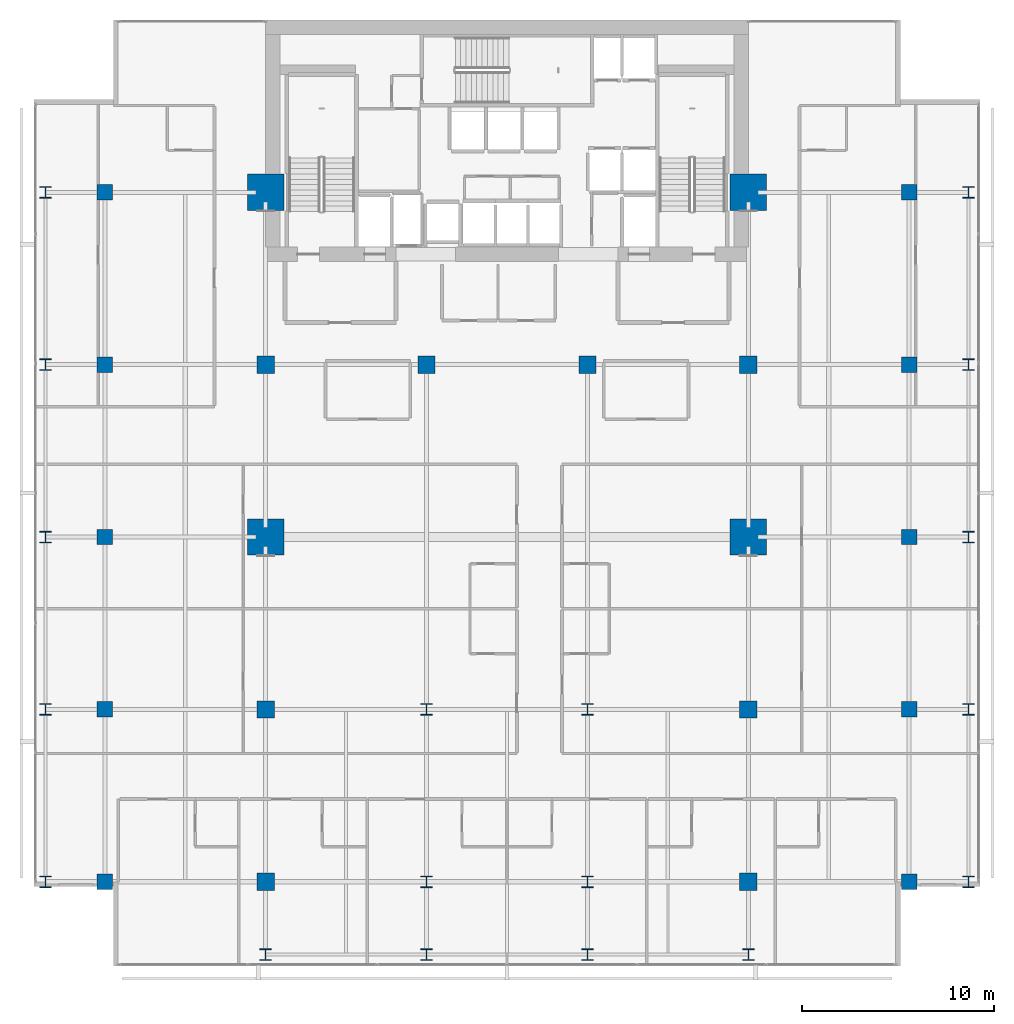
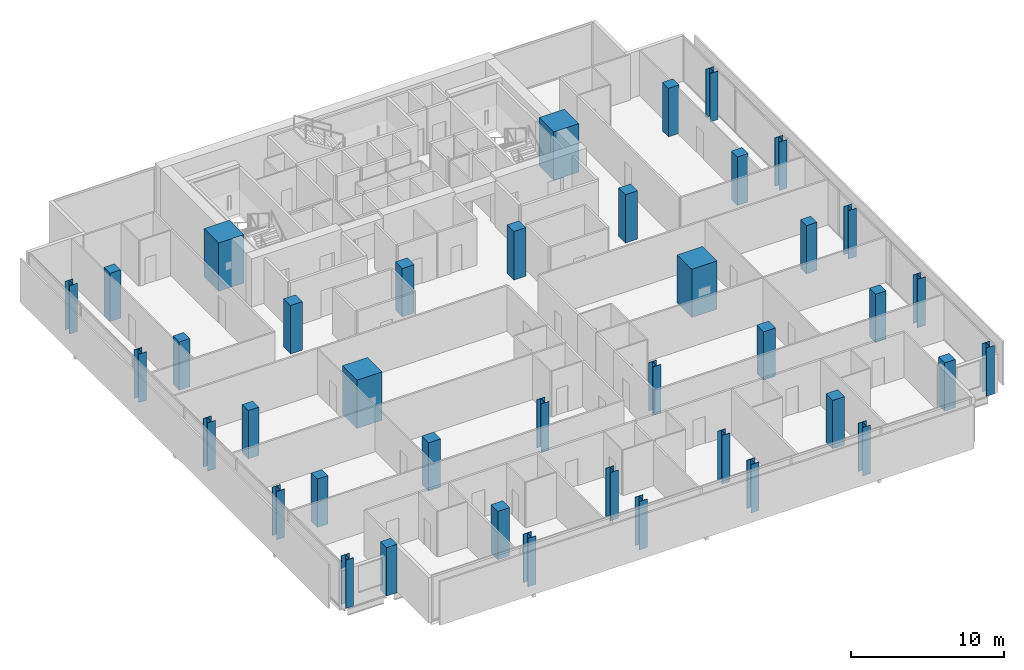
# One storey, part 1 of 33: 40 columns.
"""IFC4 building model written with IfcOpenShell, lengths in metres."""

import ifcopenshell
import ifcopenshell.guid

model = None  # the IFC model being written
_history = None  # IfcOwnerHistory: only IFC2X3 demands one
_inside = {}  # id of a spatial element -> (the spatial element, [elements in it])
_under = {}  # id of a project, library or spatial element -> (it, [spatial elements below it])
_declared = {}  # id of a project -> (the project, [libraries it declares])
_typed = {}  # id of a type object -> (the type object, [elements of that type])
_made_of = {}  # id of a material, layer set ... -> (it, [elements and type objects made of it])


def new_model(schema):
    """Start an empty IFC model of exactly this schema.

    Asked for "IFC4X3", IfcOpenShell would pick the latest addendum, in which some entities
    have other attributes; the version numbers below select the first issue.
    IFC2X3 requires an IfcOwnerHistory on every rooted entity: one is made here for all.
    """
    global model, _history
    if schema == "IFC4X3":
        model = ifcopenshell.file(schema_version=(4, 3, 0, 0))
    else:
        model = ifcopenshell.file(schema=schema)
    _inside.clear()
    _under.clear()
    _declared.clear()
    _typed.clear()
    _made_of.clear()
    _history = None
    if model.schema == "IFC2X3":
        org = make("IfcOrganization", Name="unknown")
        user = make(
            "IfcPersonAndOrganization",
            ThePerson=make("IfcPerson", FamilyName="unknown"),
            TheOrganization=org,
        )
        app = make(
            "IfcApplication",
            ApplicationDeveloper=org,
            Version="unknown",
            ApplicationFullName="unknown",
            ApplicationIdentifier="unknown",
        )
        _history = make(
            "IfcOwnerHistory",
            OwningUser=user,
            OwningApplication=app,
            ChangeAction="ADDED",
            CreationDate=0,
        )
    return model


def make(cls, **values):
    """One entity of the class cls with the attributes given. An attribute that is None is left unset."""
    return model.create_entity(
        cls, **{name: value for name, value in values.items() if value is not None}
    )


def rooted(cls, **values):
    """An entity with a GlobalId (a new one), such as an element, a storey or a relation."""
    return make(cls, GlobalId=ifcopenshell.guid.new(), OwnerHistory=_history, **values)


def si_unit(unit_type, name, prefix=None):
    """IfcSIUnit, for example si_unit("LENGTHUNIT", "METRE", prefix="MILLI")."""
    return make("IfcSIUnit", UnitType=unit_type, Prefix=prefix, Name=name)


def assignment(units):
    """IfcUnitAssignment: the units of a project."""
    return None if units is None else make("IfcUnitAssignment", Units=units)


def point(xyz):
    """IfcCartesianPoint."""
    return None if xyz is None else make("IfcCartesianPoint", Coordinates=xyz)


def direction(xyz):
    """IfcDirection."""
    return None if xyz is None else make("IfcDirection", DirectionRatios=xyz)


def frame(location, z_axis=None, x_axis=None):
    """IfcAxis2Placement3D, a coordinate frame: its origin and axes. An axis left out is left unset."""
    return make(
        "IfcAxis2Placement3D",
        Location=point(location),
        Axis=direction(z_axis),
        RefDirection=direction(x_axis),
    )


def frame_2d(location, x_axis=None):
    """IfcAxis2Placement2D, a coordinate frame in the plane: its origin and x axis."""
    return make(
        "IfcAxis2Placement2D", Location=point(location), RefDirection=direction(x_axis)
    )


def origin():
    """The frame at (0, 0, 0) with its axes left unset."""
    return frame((0.0, 0.0, 0.0))


def origin_2d():
    """The frame at (0, 0) in the plane with its x axis left unset."""
    return frame_2d((0.0, 0.0))


def place(relative_to, where):
    """IfcLocalPlacement: puts the frame where relative to a parent placement (None: the world)."""
    return make(
        "IfcLocalPlacement", PlacementRelTo=relative_to, RelativePlacement=where
    )


def context(
    kind, dimensions, precision=None, world=None, true_north=None, identifier=None
):
    """IfcGeometricRepresentationContext, for example the 3D "Model" context."""
    return make(
        "IfcGeometricRepresentationContext",
        ContextIdentifier=identifier,
        ContextType=kind,
        CoordinateSpaceDimension=dimensions,
        Precision=precision,
        WorldCoordinateSystem=world,
        TrueNorth=true_north,
    )


def subcontext(parent, identifier, kind, view, scale=None):
    """IfcGeometricRepresentationSubContext, for example "Body" below "Model"."""
    return make(
        "IfcGeometricRepresentationSubContext",
        ContextIdentifier=identifier,
        ContextType=kind,
        ParentContext=parent,
        TargetScale=scale,
        TargetView=view,
    )


def project(units=None, contexts=None):
    """IfcProject with its units and contexts."""
    return rooted(
        "IfcProject",
        Name="project",
        RepresentationContexts=contexts,
        UnitsInContext=assignment(units),
    )


def spatial(cls, under=None, at=None, **own):
    """A site, building, storey or space (cls), placed at a placement, below another one or the project."""
    s = rooted(cls, ObjectPlacement=at, **own)
    if under is not None:
        _under.setdefault(under.id(), (under, []))[1].append(s)
    return s


def profile(cls, at=None, kind="AREA", **sizes):
    """A parametric profile (cls). Its sizes go by their IFC names, for example OverallWidth=200.0."""
    return make(cls, ProfileType=kind, Position=at, **sizes)


def rectangle(**sizes):
    """IfcRectangleProfileDef."""
    return profile("IfcRectangleProfileDef", **sizes)


def i_section(**sizes):
    """IfcIShapeProfileDef."""
    return profile("IfcIShapeProfileDef", **sizes)


def extrude(swept, where, along, depth):
    """IfcExtrudedAreaSolid: the profile swept, set in the frame where, extruded along a direction by depth."""
    return make(
        "IfcExtrudedAreaSolid",
        SweptArea=swept,
        Position=where,
        ExtrudedDirection=direction(along),
        Depth=depth,
    )


def shape(context_of_items, identifier, shape_type, items):
    """IfcShapeRepresentation: the items that make up one representation, for example the "Body"."""
    return make(
        "IfcShapeRepresentation",
        ContextOfItems=context_of_items,
        RepresentationIdentifier=identifier,
        RepresentationType=shape_type,
        Items=items,
    )


def material(Name=None, Category=None):
    """IfcMaterial."""
    return make("IfcMaterial", Name=Name, Category=Category)


def material_profile(
    of_material, cross_section, Name=None, Category=None, Priority=None
):
    """IfcMaterialProfile: a cross section and its material."""
    return make(
        "IfcMaterialProfile",
        Name=Name,
        Material=of_material,
        Profile=cross_section,
        Priority=Priority,
        Category=Category,
    )


def profile_set(profiles, Name=None, composite=None):
    """IfcMaterialProfileSet."""
    return make(
        "IfcMaterialProfileSet",
        Name=Name,
        MaterialProfiles=profiles,
        CompositeProfile=composite,
    )


def made_of(thing, what):
    """Note that an element or type object is made of a material, layer set ...; save() writes the relation."""
    if what is not None:
        _made_of.setdefault(what.id(), (what, []))[1].append(thing)
    return thing


def type_object(cls, material=None, **own):
    """A type object (cls), such as IfcWallType, which elements share."""
    return made_of(rooted(cls, **own), material)


def element(
    cls,
    number,
    at=None,
    inside=None,
    cuts=None,
    type_object=None,
    material=None,
    context=None,
    identifier="Body",
    shape_type=None,
    held_by="IfcProductDefinitionShape",
    body=None,
    shapes=None,
    **own,
):
    """One element of the class cls, such as IfcWall. Its Tag is "e" and its number.

    at: its placement. inside: the storey or other place that contains it. cuts: it is an
    opening in that element (IfcRelVoidsElement). A single representation is given by context,
    identifier, shape_type and body (its items); several are given by shapes. held_by: the class
    of the entity that holds the representations. save() writes the other relations.
    """
    e = rooted(cls, Tag="e%d" % number, ObjectPlacement=at, **own)
    if body is not None:
        shapes = [shape(context, identifier, shape_type, body)]
    if shapes is not None:
        e.Representation = make(held_by, Representations=shapes)
    if inside is not None:
        _inside.setdefault(inside.id(), (inside, []))[1].append(e)
    if cuts is not None:
        rooted(
            "IfcRelVoidsElement", RelatingBuildingElement=cuts, RelatedOpeningElement=e
        )
    if type_object is not None:
        _typed.setdefault(type_object.id(), (type_object, []))[1].append(e)
    return made_of(e, material)


def aggregate(whole, parts):
    """IfcRelAggregates: a whole, such as a stair, and the parts it consists of."""
    return rooted("IfcRelAggregates", RelatingObject=whole, RelatedObjects=parts)


def save(model, path):
    """Write the relations noted so far, then the file.

    IfcRelAggregates (storeys below a building ...), IfcRelContainedInSpatialStructure (elements
    in a storey), IfcRelDefinesByType, IfcRelAssociatesMaterial and IfcRelDeclares: one each for
    every whole, place, type object, material and project.
    """
    for whole, parts in _under.values():
        aggregate(whole, parts)
    for where, things in _inside.values():
        rooted(
            "IfcRelContainedInSpatialStructure",
            RelatedElements=things,
            RelatingStructure=where,
        )
    for kind, things in _typed.values():
        rooted("IfcRelDefinesByType", RelatedObjects=things, RelatingType=kind)
    for what, things in _made_of.values():
        rooted("IfcRelAssociatesMaterial", RelatedObjects=things, RelatingMaterial=what)
    for by, libraries in _declared.values():
        rooted("IfcRelDeclares", RelatingContext=by, RelatedDefinitions=libraries)
    model.write(path)


model = new_model("IFC4")

# Units and contexts
model_context = context("Model", 3, precision=1e-05, world=origin(), true_north=direction((0.0, 1.0)))
body_context = subcontext(model_context, "Body", "Model", "MODEL_VIEW")
ifc_project = project(units=[si_unit("LENGTHUNIT", "METRE"), si_unit("AREAUNIT", "SQUARE_METRE"), si_unit("VOLUMEUNIT", "CUBIC_METRE"), si_unit("PLANEANGLEUNIT", "RADIAN"), si_unit("MASSUNIT", "GRAM", prefix="KILO")], contexts=[model_context])

# Site, building, storey
site_placement = place(None, origin())
site = spatial("IfcSite", under=ifc_project, at=site_placement, CompositionType="ELEMENT")
building_placement = place(site_placement, origin())
building = spatial("IfcBuilding", under=site, at=building_placement, Name="Maruvema Waterfront Hotel and Observation Tower", CompositionType="ELEMENT")
storey_placement = place(building_placement, frame((0.0, 0.0, 204.39990234375)))
storey = spatial("IfcBuildingStorey", under=building, at=storey_placement, Name="L50", CompositionType="ELEMENT", Elevation=204.39990234375)

# Columns
ifc_material_1 = material(Name="Concrete C80/95", Category="concrete")
ifc_material_profile_1 = material_profile(ifc_material_1, rectangle(XDim=1.89990234375, YDim=1.89990234375, at=origin_2d()), Name="MC1900x1900")
ifc_profile_set_1 = profile_set([ifc_material_profile_1], Name="Concrete C80/95")
column_type_1 = type_object("IfcColumnType", Name="Continuous Mega-Column MC1900x1900", PredefinedType="COLUMN", material=ifc_profile_set_1)
for number, where, z_axis, x_axis, name in (
    (1, (25.199951171875, 27.0, 0.0), (0.0, 0.0, 1.0), (1.0, 0.0, 0.0), "L50 Continuous Mega-Column MC-01"),
    (2, (50.39990234375, 27.0, 0.0), (0.0, 0.0, 1.0), (1.0, 0.0, 0.0), "L50 Continuous Mega-Column MC-02"),
    (3, (25.199951171875, 45.0, 0.0), (0.0, 0.0, 1.0), (1.0, 0.0, 0.0), "L50 Continuous Mega-Column MC-03"),
    (4, (50.39990234375, 45.0, 0.0), (0.0, 0.0, 1.0), (1.0, 0.0, 0.0), "L50 Continuous Mega-Column MC-04"),
):
    element("IfcColumn", number, at=place(storey_placement, frame(where, z_axis=z_axis, x_axis=x_axis)), inside=storey, type_object=column_type_1, Name=name, PredefinedType="COLUMN", context=body_context, shape_type="SweptSolid", body=[
        extrude(rectangle(XDim=1.89990234375, YDim=1.89990234375, at=origin_2d()), origin(), (0.0, 0.0, 1.0), 3.85009765625),
    ])
ifc_material_2 = material(Name="Concrete C60/75", Category="concrete")
ifc_material_profile_2 = material_profile(ifc_material_2, rectangle(XDim=0.800048828125, YDim=0.800048828125, at=origin_2d()), Name="RC800x800")
ifc_profile_set_2 = profile_set([ifc_material_profile_2], Name="Concrete C60/75")
column_type_2 = type_object("IfcColumnType", Name="Reinforced Concrete Column RC800x800", PredefinedType="COLUMN", material=ifc_profile_set_2)
for number, where, z_axis, x_axis, name in (
    (5, (16.800048828125, 9.0, 0.0), (0.0, 0.0, 1.0), (1.0, 0.0, 0.0), "L50 Column C-3Y9"),
    (6, (58.800048828125, 9.0, 0.0), (0.0, 0.0, 1.0), (1.0, 0.0, 0.0), "L50 Column C-8Y9"),
    (7, (16.800048828125, 18.0, 0.0), (0.0, 0.0, 1.0), (1.0, 0.0, 0.0), "L50 Column C-3Y18"),
    (8, (58.800048828125, 18.0, 0.0), (0.0, 0.0, 1.0), (1.0, 0.0, 0.0), "L50 Column C-8Y18"),
    (9, (16.800048828125, 27.0, 0.0), (0.0, 0.0, 1.0), (1.0, 0.0, 0.0), "L50 Column C-3Y27"),
    (10, (58.800048828125, 27.0, 0.0), (0.0, 0.0, 1.0), (1.0, 0.0, 0.0), "L50 Column C-8Y27"),
    (11, (16.800048828125, 36.0, 0.0), (0.0, 0.0, 1.0), (1.0, 0.0, 0.0), "L50 Column C-3Y36"),
    (12, (58.800048828125, 36.0, 0.0), (0.0, 0.0, 1.0), (1.0, 0.0, 0.0), "L50 Column C-8Y36"),
    (13, (16.800048828125, 45.0, 0.0), (0.0, 0.0, 1.0), (1.0, 0.0, 0.0), "L50 Column C-3Y45"),
    (14, (58.800048828125, 45.0, 0.0), (0.0, 0.0, 1.0), (1.0, 0.0, 0.0), "L50 Column C-8Y45"),
):
    element("IfcColumn", number, at=place(storey_placement, frame(where, z_axis=z_axis, x_axis=x_axis)), inside=storey, type_object=column_type_2, Name=name, PredefinedType="COLUMN", context=body_context, shape_type="SweptSolid", body=[
        extrude(rectangle(XDim=0.800048828125, YDim=0.800048828125, at=origin_2d()), origin(), (0.0, 0.0, 1.0), 3.85009765625),
    ])
ifc_material_3 = material(Name="Concrete C60/75", Category="concrete")
ifc_material_profile_3 = material_profile(ifc_material_3, rectangle(XDim=0.89990234375, YDim=0.89990234375, at=origin_2d()), Name="RC900x900")
ifc_profile_set_3 = profile_set([ifc_material_profile_3], Name="Concrete C60/75")
column_type_3 = type_object("IfcColumnType", Name="Reinforced Concrete Column RC900x900", PredefinedType="COLUMN", material=ifc_profile_set_3)
for number, where, z_axis, x_axis, name in (
    (15, (25.199951171875, 36.0, 0.0), (0.0, 0.0, 1.0), (1.0, 0.0, 0.0), "L50 Column C-4E"),
    (16, (33.60009765625, 36.0, 0.0), (0.0, 0.0, 1.0), (1.0, 0.0, 0.0), "L50 Column C-5E"),
    (17, (42.0, 36.0, 0.0), (0.0, 0.0, 1.0), (1.0, 0.0, 0.0), "L50 Column C-6E"),
    (18, (50.39990234375, 36.0, 0.0), (0.0, 0.0, 1.0), (1.0, 0.0, 0.0), "L50 Column C-7E"),
    (19, (25.199951171875, 18.0, 0.0), (0.0, 0.0, 1.0), (1.0, 0.0, 0.0), "L50 Column C-4C"),
    (20, (50.39990234375, 18.0, 0.0), (0.0, 0.0, 1.0), (1.0, 0.0, 0.0), "L50 Column C-7C"),
    (21, (25.199951171875, 9.0, 0.0), (0.0, 0.0, 1.0), (1.0, 0.0, 0.0), "L50 Column C-4B"),
    (22, (50.39990234375, 9.0, 0.0), (0.0, 0.0, 1.0), (1.0, 0.0, 0.0), "L50 Column C-7B"),
):
    element("IfcColumn", number, at=place(storey_placement, frame(where, z_axis=z_axis, x_axis=x_axis)), inside=storey, type_object=column_type_3, Name=name, PredefinedType="COLUMN", context=body_context, shape_type="SweptSolid", body=[
        extrude(rectangle(XDim=0.89990234375, YDim=0.89990234375, at=origin_2d()), origin(), (0.0, 0.0, 1.0), 3.85009765625),
    ])
ifc_material_4 = material(Name="Steel ABNT NBR 7007 AR 415 (ASTM A572 Grade 50)", Category="steel")
ifc_material_profile_4 = material_profile(ifc_material_4, i_section(OverallWidth=0.60009765625, OverallDepth=0.60009765625, WebThickness=0.02490234375, FlangeThickness=0.0380859375, at=origin_2d()), Name="CVS600x317")
ifc_profile_set_4 = profile_set([ifc_material_profile_4], Name="Steel ABNT NBR 7007 AR 415 (ASTM A572 Grade 50)")
column_type_4 = type_object("IfcColumnType", Name="Structural Steel Column CVS600x317", PredefinedType="COLUMN", material=ifc_profile_set_4)
for number, where, z_axis, x_axis, name in (
    (23, (33.60009765625, 9.0, 0.0), (0.0, 0.0, 1.0), (1.0, 0.0, 0.0), "L50 Column C-5B"),
    (24, (42.0, 9.0, 0.0), (0.0, 0.0, 1.0), (1.0, 0.0, 0.0), "L50 Column C-6B"),
    (25, (33.60009765625, 18.0, 0.0), (0.0, 0.0, 1.0), (1.0, 0.0, 0.0), "L50 Column C-5C"),
    (26, (42.0, 18.0, 0.0), (0.0, 0.0, 1.0), (1.0, 0.0, 0.0), "L50 Column C-6C"),
    (27, (13.699951171875, 9.0, 0.0), (0.0, 0.0, 1.0), (1.0, 0.0, 0.0), "L50 Column C-Z2W9"),
    (28, (61.89990234375, 9.0, 0.0), (0.0, 0.0, 1.0), (1.0, 0.0, 0.0), "L50 Column C-Z2E9"),
    (29, (13.699951171875, 18.0, 0.0), (0.0, 0.0, 1.0), (1.0, 0.0, 0.0), "L50 Column C-Z2W18"),
    (30, (61.89990234375, 18.0, 0.0), (0.0, 0.0, 1.0), (1.0, 0.0, 0.0), "L50 Column C-Z2E18"),
    (31, (13.699951171875, 27.0, 0.0), (0.0, 0.0, 1.0), (1.0, 0.0, 0.0), "L50 Column C-Z2W27"),
    (32, (61.89990234375, 27.0, 0.0), (0.0, 0.0, 1.0), (1.0, 0.0, 0.0), "L50 Column C-Z2E27"),
    (33, (13.699951171875, 36.0, 0.0), (0.0, 0.0, 1.0), (1.0, 0.0, 0.0), "L50 Column C-Z2W36"),
    (34, (61.89990234375, 36.0, 0.0), (0.0, 0.0, 1.0), (1.0, 0.0, 0.0), "L50 Column C-Z2E36"),
    (35, (13.699951171875, 45.0, 0.0), (0.0, 0.0, 1.0), (1.0, 0.0, 0.0), "L50 Column C-Z2W45"),
    (36, (61.89990234375, 45.0, 0.0), (0.0, 0.0, 1.0), (1.0, 0.0, 0.0), "L50 Column C-Z2E45"),
    (37, (25.199951171875, 5.199951171875, 0.0), (0.0, 0.0, 1.0), (1.0, 0.0, 0.0), "L50 Column C-Z2S4"),
    (38, (33.60009765625, 5.199951171875, 0.0), (0.0, 0.0, 1.0), (1.0, 0.0, 0.0), "L50 Column C-Z2S5"),
    (39, (42.0, 5.199951171875, 0.0), (0.0, 0.0, 1.0), (1.0, 0.0, 0.0), "L50 Column C-Z2S6"),
    (40, (50.39990234375, 5.199951171875, 0.0), (0.0, 0.0, 1.0), (1.0, 0.0, 0.0), "L50 Column C-Z2S7"),
):
    element("IfcColumn", number, at=place(storey_placement, frame(where, z_axis=z_axis, x_axis=x_axis)), inside=storey, type_object=column_type_4, Name=name, PredefinedType="COLUMN", context=body_context, shape_type="SweptSolid", body=[
        extrude(i_section(OverallWidth=0.60009765625, OverallDepth=0.60009765625, WebThickness=0.02490234375, FlangeThickness=0.0380859375, at=origin_2d()), origin(), (0.0, 0.0, 1.0), 3.85009765625),
    ])

save(model, "model.ifc")
